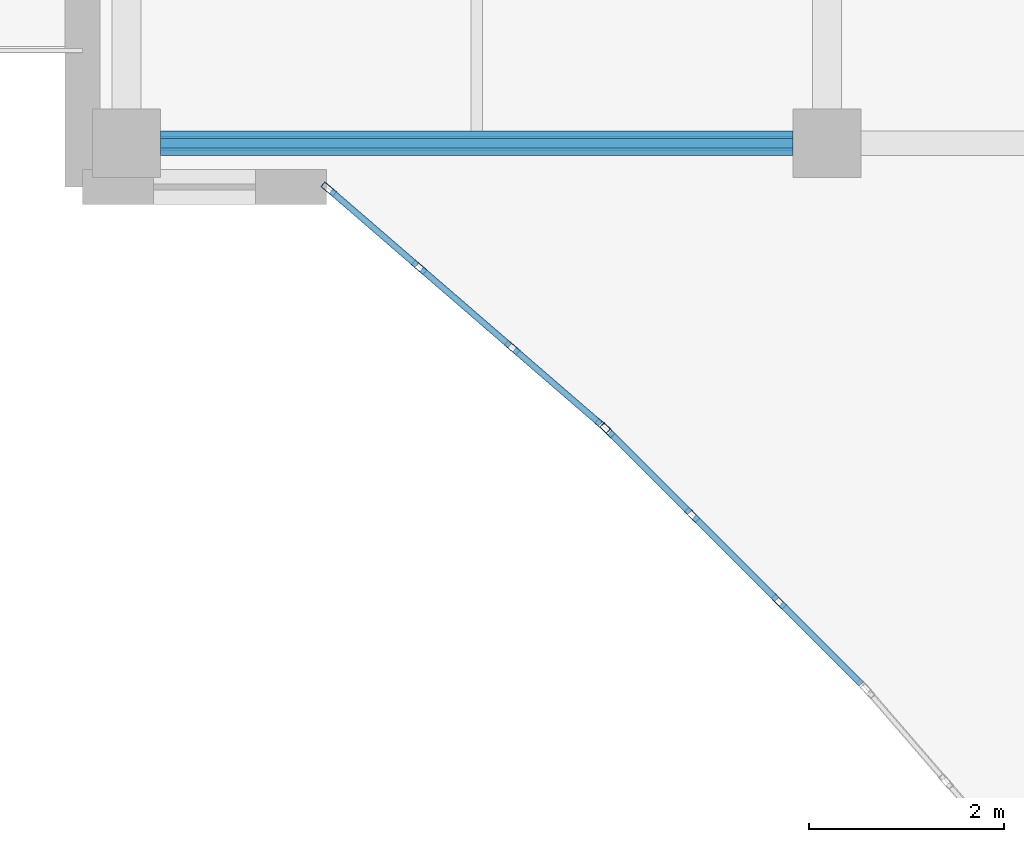
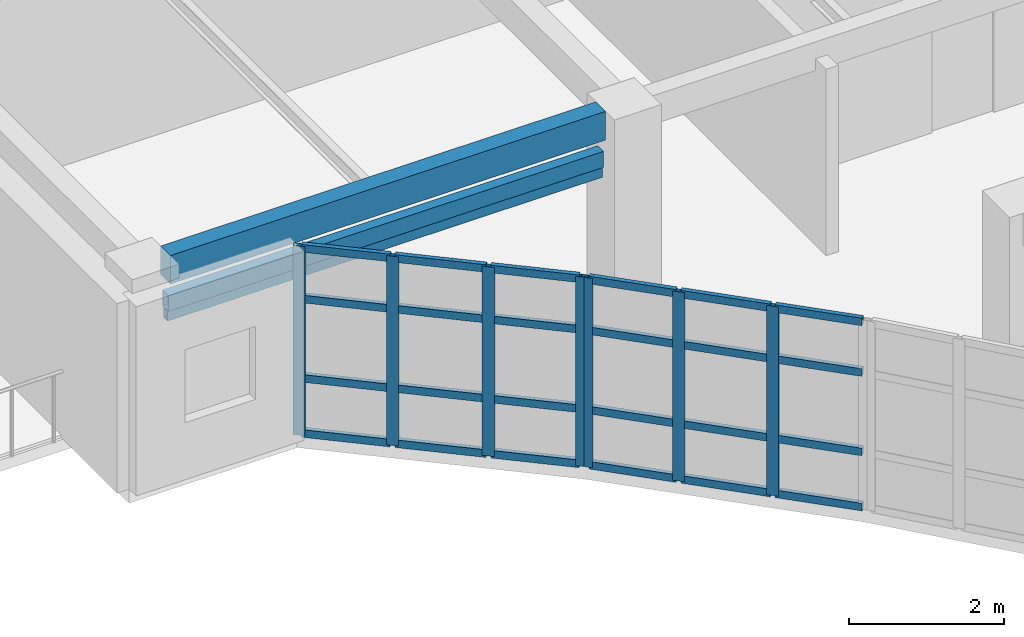
# One storey, part 51 of 128: 33 members, 1 beam, 2 elements without a shape of their own.
"""IFC4 building model written with IfcOpenShell, lengths in metres."""

from ifc_helpers import new_model, si_unit, direction, frame, origin, origin_2d, place, context, subcontext, project, spatial, rectangle, hollow_rectangle, extrude, material, layer, layer_set, material_profile, profile_set, type_object, element, aggregate, save


model = new_model("IFC4")

# Units and contexts
model_context = context("Model", 3, precision=1e-05, world=origin(), true_north=direction((0.0, 1.0)))
body_context = subcontext(model_context, "Body", "Model", "MODEL_VIEW")
ifc_project = project(units=[si_unit("LENGTHUNIT", "METRE"), si_unit("AREAUNIT", "SQUARE_METRE"), si_unit("VOLUMEUNIT", "CUBIC_METRE"), si_unit("PLANEANGLEUNIT", "RADIAN"), si_unit("MASSUNIT", "GRAM", prefix="KILO")], contexts=[model_context])

# Site, building, storey
site_placement = place(None, origin())
site = spatial("IfcSite", under=ifc_project, at=site_placement, CompositionType="ELEMENT")
building_placement = place(site_placement, origin())
building = spatial("IfcBuilding", under=site, at=building_placement, Name="Keldmere Railside Commons", CompositionType="ELEMENT")
storey_placement = place(building_placement, frame((0.0, 0.0, 4.159912109375)))
storey = spatial("IfcBuildingStorey", under=building, at=storey_placement, Name="L01", CompositionType="ELEMENT", Elevation=4.159912109375)

# Member
ifc_material_1 = material(Name="Steel F-36 (S355)", Category="steel")
ifc_material_profile_1 = material_profile(ifc_material_1, hollow_rectangle(XDim=0.14990234375, YDim=0.25, WallThickness=0.010009765625, at=origin_2d()), Name="RHS-250x150x10")
ifc_profile_set_1 = profile_set([ifc_material_profile_1], Name="Steel F-36 (S355)")
member_type_1 = type_object("IfcMemberType", Name="Balcony Continuous Planted Trough RHS250x150", PredefinedType="CHORD", material=ifc_profile_set_1)
member_1_placement = place(storey_placement, frame((94.300048828125, 100.449951171875, 2.4150390625), z_axis=(1.0, 0.0, 0.0), x_axis=(0.0, 1.0, 0.0)))
element("IfcMember", 1, at=member_1_placement, inside=storey, type_object=member_type_1, Name="PLT-1 MEM-BPLT-0165", PredefinedType="CHORD", context=body_context, shape_type="SweptSolid", body=[
    extrude(hollow_rectangle(XDim=0.14990234375, YDim=0.25, WallThickness=0.010009765625, at=origin_2d()), origin(), (0.0, 0.0, 1.0), 6.48291015625),
])

# Beam
ifc_material_2 = material(Name="Architectural Precast Concrete H-35 (C35/45)", Category="concrete")
ifc_material_profile_2 = material_profile(ifc_material_2, rectangle(XDim=0.25, YDim=0.449951171875, at=origin_2d()), Name="RC-250x450")
ifc_profile_set_2 = profile_set([ifc_material_profile_2], Name="Architectural Precast Concrete H-35 (C35/45)")
beam_type = type_object("IfcBeamType", Name="Perimeter Precast Spandrel Beam 250x450", PredefinedType="SPANDREL", material=ifc_profile_set_2)
beam_placement = place(storey_placement, frame((94.300048828125, 100.449951171875, 2.97509765625), z_axis=(1.0, 0.0, 0.0), x_axis=(0.0, 1.0, 0.0)))
element("IfcBeam", 2, at=beam_placement, inside=storey, type_object=beam_type, Name="SPB-1 BM-L01-0823", PredefinedType="SPANDREL", context=body_context, shape_type="SweptSolid", body=[
    extrude(rectangle(XDim=0.25, YDim=0.449951171875, at=origin_2d()), origin(), (0.0, 0.0, 1.0), 6.48291015625),
])

# Member
ifc_material_profile_3 = material_profile(ifc_material_1, hollow_rectangle(XDim=0.10009765625, YDim=0.159912109375, WallThickness=0.008056640625, at=origin_2d()), Name="RHS-160x100x8")
ifc_profile_set_3 = profile_set([ifc_material_profile_3], Name="Steel F-36 (S355)")
member_type_2 = type_object("IfcMemberType", Name="Solar Brise-Soleil Louvre Fin RHS160x100", PredefinedType="STRUT", material=ifc_profile_set_3)
member_2_placement = place(storey_placement, frame((94.300048828125, 100.449951171875, 2.2001953125), z_axis=(1.0, 0.0, 0.0), x_axis=(0.0, 1.0, 0.0)))
element("IfcMember", 3, at=member_2_placement, inside=storey, type_object=member_type_2, Name="BSF-1 MEM-BSF-0166", PredefinedType="STRUT", context=body_context, shape_type="SweptSolid", body=[
    extrude(hollow_rectangle(XDim=0.10009765625, YDim=0.159912109375, WallThickness=0.008056640625, at=origin_2d()), origin(), (0.0, 0.0, 1.0), 6.48291015625),
])

# Curtain wall, members
ifc_material_3 = material(Name="Thermally Broken Aluminium", Category="aluminium")
ifc_layer_1 = layer(ifc_material_3, 0.159912109375, Name="Court Chord Wintergarden CW 4800x2850")
ifc_layer_set_1 = layer_set([ifc_layer_1], Name="Thermally Broken Aluminium")
curtain_wall_type_1 = type_object("IfcCurtainWallType", Name="Court Chord Wintergarden CW 4800x2850", PredefinedType="NOTDEFINED", material=ifc_layer_set_1)
curtain_wall_1_placement = place(storey_placement, origin())
curtain_wall_1 = element("IfcCurtainWall", 4, at=curtain_wall_1_placement, inside=storey, type_object=curtain_wall_type_1, Name="CW-12 CW-L01-094", PredefinedType="NOTDEFINED")
ifc_material_profile_4 = material_profile(ifc_material_3, hollow_rectangle(XDim=0.06494140625, YDim=0.159912109375, WallThickness=0.00390625, at=origin_2d()), Name="ALU-MULL-65x160")
ifc_profile_set_4 = profile_set([ifc_material_profile_4], Name="Thermally Broken Aluminium")
member_type_3 = type_object("IfcMemberType", Name="Unitised Curtain Wall Mullion 65x160", PredefinedType="MULLION", material=ifc_profile_set_4)
member_3_placement = place(storey_placement, frame((98.83349609375, 97.55126953125, 0.0), z_axis=(0.0, 0.0, 1.0), x_axis=(-0.653881741053, -0.756596767584, 0.0)))
member_3 = element("IfcMember", 5, at=member_3_placement, type_object=member_type_3, Name="CW-12 mullion 1", PredefinedType="MULLION", context=body_context, shape_type="SweptSolid", body=[
    extrude(hollow_rectangle(XDim=0.06494140625, YDim=0.159912109375, WallThickness=0.00390625, at=origin_2d()), origin(), (0.0, 0.0, 1.0), 2.97998046875),
])
member_4_placement = place(storey_placement, frame((97.9052734375, 98.353271484375, 0.0), z_axis=(0.0, 0.0, 1.0), x_axis=(-0.653881741053, -0.756596767584, 0.0)))
member_4 = element("IfcMember", 6, at=member_4_placement, type_object=member_type_3, Name="CW-12 mullion 2", PredefinedType="MULLION", context=body_context, shape_type="SweptSolid", body=[
    extrude(hollow_rectangle(XDim=0.06494140625, YDim=0.159912109375, WallThickness=0.00390625, at=origin_2d()), origin(), (0.0, 0.0, 1.0), 2.97998046875),
])
member_5_placement = place(storey_placement, frame((96.95263671875, 99.1767578125, 0.0), z_axis=(0.0, 0.0, 1.0), x_axis=(-0.653881741053, -0.756596767584, 0.0)))
member_5 = element("IfcMember", 7, at=member_5_placement, type_object=member_type_3, Name="CW-12 mullion 3", PredefinedType="MULLION", context=body_context, shape_type="SweptSolid", body=[
    extrude(hollow_rectangle(XDim=0.06494140625, YDim=0.159912109375, WallThickness=0.00390625, at=origin_2d()), origin(), (0.0, 0.0, 1.0), 2.97998046875),
])
member_6_placement = place(storey_placement, frame((96.024658203125, 99.978759765625, 0.0), z_axis=(0.0, 0.0, 1.0), x_axis=(-0.653881741053, -0.756596767584, 0.0)))
member_6 = element("IfcMember", 8, at=member_6_placement, type_object=member_type_3, Name="CW-12 mullion 4", PredefinedType="MULLION", context=body_context, shape_type="SweptSolid", body=[
    extrude(hollow_rectangle(XDim=0.06494140625, YDim=0.159912109375, WallThickness=0.00390625, at=origin_2d()), origin(), (0.0, 0.0, 1.0), 2.97998046875),
])

ifc_layer_2 = layer(ifc_material_3, 0.159912109375, Name="Court Chord Wintergarden CW 5400x2850")
ifc_layer_set_2 = layer_set([ifc_layer_2], Name="Thermally Broken Aluminium")
curtain_wall_type_2 = type_object("IfcCurtainWallType", Name="Court Chord Wintergarden CW 5400x2850", PredefinedType="NOTDEFINED", material=ifc_layer_set_2)
curtain_wall_2_placement = place(storey_placement, origin())
curtain_wall_2 = element("IfcCurtainWall", 9, at=curtain_wall_2_placement, inside=storey, type_object=curtain_wall_type_2, Name="CW-13 CW-L01-095", PredefinedType="NOTDEFINED")
member_7_placement = place(storey_placement, frame((100.639404296875, 95.748779296875, 0.0), z_axis=(0.0, 0.0, 1.0), x_axis=(-0.707106781187, -0.707106781187, 0.0)))
member_7 = element("IfcMember", 10, at=member_7_placement, type_object=member_type_3, Name="CW-13 mullion 2", PredefinedType="MULLION", context=body_context, shape_type="SweptSolid", body=[
    extrude(hollow_rectangle(XDim=0.06494140625, YDim=0.159912109375, WallThickness=0.00390625, at=origin_2d()), origin(), (0.0, 0.0, 1.0), 2.97998046875),
])
member_8_placement = place(storey_placement, frame((99.748779296875, 96.639404296875, 0.0), z_axis=(0.0, 0.0, 1.0), x_axis=(-0.707106781187, -0.707106781187, 0.0)))
member_8 = element("IfcMember", 11, at=member_8_placement, type_object=member_type_3, Name="CW-13 mullion 3", PredefinedType="MULLION", context=body_context, shape_type="SweptSolid", body=[
    extrude(hollow_rectangle(XDim=0.06494140625, YDim=0.159912109375, WallThickness=0.00390625, at=origin_2d()), origin(), (0.0, 0.0, 1.0), 2.97998046875),
])
member_9_placement = place(storey_placement, frame((98.880859375, 97.507080078125, 0.0), z_axis=(0.0, 0.0, 1.0), x_axis=(-0.707106781187, -0.707106781187, 0.0)))
member_9 = element("IfcMember", 12, at=member_9_placement, type_object=member_type_3, Name="CW-13 mullion 4", PredefinedType="MULLION", context=body_context, shape_type="SweptSolid", body=[
    extrude(hollow_rectangle(XDim=0.06494140625, YDim=0.159912109375, WallThickness=0.00390625, at=origin_2d()), origin(), (0.0, 0.0, 1.0), 2.97998046875),
])

# Member
ifc_material_profile_5 = material_profile(ifc_material_3, hollow_rectangle(XDim=0.06494140625, YDim=0.1201171875, WallThickness=0.00390625, at=origin_2d()), Name="ALU-TRAN-65x120")
ifc_profile_set_5 = profile_set([ifc_material_profile_5], Name="Thermally Broken Aluminium")
member_type_4 = type_object("IfcMemberType", Name="Unitised Curtain Wall Transom 65x120", PredefinedType="USERDEFINED", material=ifc_profile_set_5)
member_10_placement = place(storey_placement, frame((98.808837890625, 97.572509765625, 0.032470703125), z_axis=(-0.756624489527, 0.653849663033, 0.0), x_axis=(-0.653849663033, -0.756624489527, 0.0)))
member_10 = element("IfcMember", 13, at=member_10_placement, type_object=member_type_4, Name="CW-12 transom 1.1", ObjectType="TRANSOM", PredefinedType="USERDEFINED", context=body_context, shape_type="SweptSolid", body=[
    extrude(hollow_rectangle(XDim=0.06494140625, YDim=0.1201171875, WallThickness=0.00390625, at=origin_2d()), origin(), (0.0, 0.0, 1.0), 1.16162109375),
])

member_11_placement = place(storey_placement, frame((98.808837890625, 97.572509765625, 0.900146484375), z_axis=(-0.756624489527, 0.653849663033, 0.0), x_axis=(-0.653849663033, -0.756624489527, 0.0)))
member_11 = element("IfcMember", 14, at=member_11_placement, type_object=member_type_4, Name="CW-12 transom 1.2", ObjectType="TRANSOM", PredefinedType="USERDEFINED", context=body_context, shape_type="SweptSolid", body=[
    extrude(hollow_rectangle(XDim=0.06494140625, YDim=0.1201171875, WallThickness=0.00390625, at=origin_2d()), origin(), (0.0, 0.0, 1.0), 1.16162109375),
])

member_12_placement = place(storey_placement, frame((98.808837890625, 97.572509765625, 2.150146484375), z_axis=(-0.756624489527, 0.653849663033, 0.0), x_axis=(-0.653849663033, -0.756624489527, 0.0)))
member_12 = element("IfcMember", 15, at=member_12_placement, type_object=member_type_4, Name="CW-12 transom 1.3", ObjectType="TRANSOM", PredefinedType="USERDEFINED", context=body_context, shape_type="SweptSolid", body=[
    extrude(hollow_rectangle(XDim=0.06494140625, YDim=0.1201171875, WallThickness=0.00390625, at=origin_2d()), origin(), (0.0, 0.0, 1.0), 1.16162109375),
])

member_13_placement = place(storey_placement, frame((98.808837890625, 97.572509765625, 2.947509765625), z_axis=(-0.756624489527, 0.653849663033, 0.0), x_axis=(-0.653849663033, -0.756624489527, 0.0)))
member_13 = element("IfcMember", 16, at=member_13_placement, type_object=member_type_4, Name="CW-12 transom 1.4", ObjectType="TRANSOM", PredefinedType="USERDEFINED", context=body_context, shape_type="SweptSolid", body=[
    extrude(hollow_rectangle(XDim=0.06494140625, YDim=0.1201171875, WallThickness=0.00390625, at=origin_2d()), origin(), (0.0, 0.0, 1.0), 1.16162109375),
])

member_14_placement = place(storey_placement, frame((97.880859375, 98.37451171875, 0.032470703125), z_axis=(-0.756551755881, 0.653933819796, 0.0), x_axis=(-0.653933819796, -0.756551755881, 0.0)))
member_14 = element("IfcMember", 17, at=member_14_placement, type_object=member_type_4, Name="CW-12 transom 2.1", ObjectType="TRANSOM", PredefinedType="USERDEFINED", context=body_context, shape_type="SweptSolid", body=[
    extrude(hollow_rectangle(XDim=0.06494140625, YDim=0.1201171875, WallThickness=0.00390625, at=origin_2d()), origin(), (0.0, 0.0, 1.0), 1.1943359375),
])

member_15_placement = place(storey_placement, frame((97.880859375, 98.37451171875, 0.900146484375), z_axis=(-0.756551755881, 0.653933819796, 0.0), x_axis=(-0.653933819796, -0.756551755881, 0.0)))
member_15 = element("IfcMember", 18, at=member_15_placement, type_object=member_type_4, Name="CW-12 transom 2.2", ObjectType="TRANSOM", PredefinedType="USERDEFINED", context=body_context, shape_type="SweptSolid", body=[
    extrude(hollow_rectangle(XDim=0.06494140625, YDim=0.1201171875, WallThickness=0.00390625, at=origin_2d()), origin(), (0.0, 0.0, 1.0), 1.1943359375),
])

member_16_placement = place(storey_placement, frame((97.880859375, 98.37451171875, 2.150146484375), z_axis=(-0.756551755881, 0.653933819796, 0.0), x_axis=(-0.653933819796, -0.756551755881, 0.0)))
member_16 = element("IfcMember", 19, at=member_16_placement, type_object=member_type_4, Name="CW-12 transom 2.3", ObjectType="TRANSOM", PredefinedType="USERDEFINED", context=body_context, shape_type="SweptSolid", body=[
    extrude(hollow_rectangle(XDim=0.06494140625, YDim=0.1201171875, WallThickness=0.00390625, at=origin_2d()), origin(), (0.0, 0.0, 1.0), 1.1943359375),
])

member_17_placement = place(storey_placement, frame((97.880859375, 98.37451171875, 2.947509765625), z_axis=(-0.756551755881, 0.653933819796, 0.0), x_axis=(-0.653933819796, -0.756551755881, 0.0)))
member_17 = element("IfcMember", 20, at=member_17_placement, type_object=member_type_4, Name="CW-12 transom 2.4", ObjectType="TRANSOM", PredefinedType="USERDEFINED", context=body_context, shape_type="SweptSolid", body=[
    extrude(hollow_rectangle(XDim=0.06494140625, YDim=0.1201171875, WallThickness=0.00390625, at=origin_2d()), origin(), (0.0, 0.0, 1.0), 1.1943359375),
])

member_18_placement = place(storey_placement, frame((96.927978515625, 99.197998046875, 0.032470703125), z_axis=(-0.756624489527, 0.653849663033, 0.0), x_axis=(-0.653849663033, -0.756624489527, 0.0)))
member_18 = element("IfcMember", 21, at=member_18_placement, type_object=member_type_4, Name="CW-12 transom 3.1", ObjectType="TRANSOM", PredefinedType="USERDEFINED", context=body_context, shape_type="SweptSolid", body=[
    extrude(hollow_rectangle(XDim=0.06494140625, YDim=0.1201171875, WallThickness=0.00390625, at=origin_2d()), origin(), (0.0, 0.0, 1.0), 1.16162109375),
])

member_19_placement = place(storey_placement, frame((96.927978515625, 99.197998046875, 0.900146484375), z_axis=(-0.756624489527, 0.653849663033, 0.0), x_axis=(-0.653849663033, -0.756624489527, 0.0)))
member_19 = element("IfcMember", 22, at=member_19_placement, type_object=member_type_4, Name="CW-12 transom 3.2", ObjectType="TRANSOM", PredefinedType="USERDEFINED", context=body_context, shape_type="SweptSolid", body=[
    extrude(hollow_rectangle(XDim=0.06494140625, YDim=0.1201171875, WallThickness=0.00390625, at=origin_2d()), origin(), (0.0, 0.0, 1.0), 1.16162109375),
])

member_20_placement = place(storey_placement, frame((96.927978515625, 99.197998046875, 2.150146484375), z_axis=(-0.756624489527, 0.653849663033, 0.0), x_axis=(-0.653849663033, -0.756624489527, 0.0)))
member_20 = element("IfcMember", 23, at=member_20_placement, type_object=member_type_4, Name="CW-12 transom 3.3", ObjectType="TRANSOM", PredefinedType="USERDEFINED", context=body_context, shape_type="SweptSolid", body=[
    extrude(hollow_rectangle(XDim=0.06494140625, YDim=0.1201171875, WallThickness=0.00390625, at=origin_2d()), origin(), (0.0, 0.0, 1.0), 1.16162109375),
])

member_21_placement = place(storey_placement, frame((96.927978515625, 99.197998046875, 2.947509765625), z_axis=(-0.756624489527, 0.653849663033, 0.0), x_axis=(-0.653849663033, -0.756624489527, 0.0)))
member_21 = element("IfcMember", 24, at=member_21_placement, type_object=member_type_4, Name="CW-12 transom 3.4", ObjectType="TRANSOM", PredefinedType="USERDEFINED", context=body_context, shape_type="SweptSolid", body=[
    extrude(hollow_rectangle(XDim=0.06494140625, YDim=0.1201171875, WallThickness=0.00390625, at=origin_2d()), origin(), (0.0, 0.0, 1.0), 1.16162109375),
])

aggregate(curtain_wall_1, [member_3, member_4, member_5, member_6, member_10, member_11, member_12, member_13, member_14, member_15, member_16, member_17, member_18, member_19, member_20, member_21])

member_22_placement = place(storey_placement, frame((101.484130859375, 94.904052734375, 0.032470703125), z_axis=(-0.707211825645, 0.707001721121, 0.0), x_axis=(-0.707001721121, -0.707211825645, 0.0)))
member_22 = element("IfcMember", 25, at=member_22_placement, type_object=member_type_4, Name="CW-13 transom 1.1", ObjectType="TRANSOM", PredefinedType="USERDEFINED", context=body_context, shape_type="SweptSolid", body=[
    extrude(hollow_rectangle(XDim=0.06494140625, YDim=0.1201171875, WallThickness=0.00390625, at=origin_2d()), origin(), (0.0, 0.0, 1.0), 1.162109375),
])

member_23_placement = place(storey_placement, frame((101.484130859375, 94.904052734375, 0.900146484375), z_axis=(-0.707211825645, 0.707001721121, 0.0), x_axis=(-0.707001721121, -0.707211825645, 0.0)))
member_23 = element("IfcMember", 26, at=member_23_placement, type_object=member_type_4, Name="CW-13 transom 1.2", ObjectType="TRANSOM", PredefinedType="USERDEFINED", context=body_context, shape_type="SweptSolid", body=[
    extrude(hollow_rectangle(XDim=0.06494140625, YDim=0.1201171875, WallThickness=0.00390625, at=origin_2d()), origin(), (0.0, 0.0, 1.0), 1.162109375),
])

member_24_placement = place(storey_placement, frame((101.484130859375, 94.904052734375, 2.150146484375), z_axis=(-0.707211825645, 0.707001721121, 0.0), x_axis=(-0.707001721121, -0.707211825645, 0.0)))
member_24 = element("IfcMember", 27, at=member_24_placement, type_object=member_type_4, Name="CW-13 transom 1.3", ObjectType="TRANSOM", PredefinedType="USERDEFINED", context=body_context, shape_type="SweptSolid", body=[
    extrude(hollow_rectangle(XDim=0.06494140625, YDim=0.1201171875, WallThickness=0.00390625, at=origin_2d()), origin(), (0.0, 0.0, 1.0), 1.162109375),
])

member_25_placement = place(storey_placement, frame((101.484130859375, 94.904052734375, 2.947509765625), z_axis=(-0.707211825645, 0.707001721121, 0.0), x_axis=(-0.707001721121, -0.707211825645, 0.0)))
member_25 = element("IfcMember", 28, at=member_25_placement, type_object=member_type_4, Name="CW-13 transom 1.4", ObjectType="TRANSOM", PredefinedType="USERDEFINED", context=body_context, shape_type="SweptSolid", body=[
    extrude(hollow_rectangle(XDim=0.06494140625, YDim=0.1201171875, WallThickness=0.00390625, at=origin_2d()), origin(), (0.0, 0.0, 1.0), 1.162109375),
])

member_26_placement = place(storey_placement, frame((100.616455078125, 95.771728515625, 0.032470703125), z_axis=(-0.707106781187, 0.707106781187, 0.0), x_axis=(-0.707106781187, -0.707106781187, 0.0)))
member_26 = element("IfcMember", 29, at=member_26_placement, type_object=member_type_4, Name="CW-13 transom 2.1", ObjectType="TRANSOM", PredefinedType="USERDEFINED", context=body_context, shape_type="SweptSolid", body=[
    extrude(hollow_rectangle(XDim=0.06494140625, YDim=0.1201171875, WallThickness=0.00390625, at=origin_2d()), origin(), (0.0, 0.0, 1.0), 1.194580078125),
])

member_27_placement = place(storey_placement, frame((100.616455078125, 95.771728515625, 0.900146484375), z_axis=(-0.707106781187, 0.707106781187, 0.0), x_axis=(-0.707106781187, -0.707106781187, 0.0)))
member_27 = element("IfcMember", 30, at=member_27_placement, type_object=member_type_4, Name="CW-13 transom 2.2", ObjectType="TRANSOM", PredefinedType="USERDEFINED", context=body_context, shape_type="SweptSolid", body=[
    extrude(hollow_rectangle(XDim=0.06494140625, YDim=0.1201171875, WallThickness=0.00390625, at=origin_2d()), origin(), (0.0, 0.0, 1.0), 1.194580078125),
])

member_28_placement = place(storey_placement, frame((100.616455078125, 95.771728515625, 2.150146484375), z_axis=(-0.707106781187, 0.707106781187, 0.0), x_axis=(-0.707106781187, -0.707106781187, 0.0)))
member_28 = element("IfcMember", 31, at=member_28_placement, type_object=member_type_4, Name="CW-13 transom 2.3", ObjectType="TRANSOM", PredefinedType="USERDEFINED", context=body_context, shape_type="SweptSolid", body=[
    extrude(hollow_rectangle(XDim=0.06494140625, YDim=0.1201171875, WallThickness=0.00390625, at=origin_2d()), origin(), (0.0, 0.0, 1.0), 1.194580078125),
])

member_29_placement = place(storey_placement, frame((100.616455078125, 95.771728515625, 2.947509765625), z_axis=(-0.707106781187, 0.707106781187, 0.0), x_axis=(-0.707106781187, -0.707106781187, 0.0)))
member_29 = element("IfcMember", 32, at=member_29_placement, type_object=member_type_4, Name="CW-13 transom 2.4", ObjectType="TRANSOM", PredefinedType="USERDEFINED", context=body_context, shape_type="SweptSolid", body=[
    extrude(hollow_rectangle(XDim=0.06494140625, YDim=0.1201171875, WallThickness=0.00390625, at=origin_2d()), origin(), (0.0, 0.0, 1.0), 1.194580078125),
])

member_30_placement = place(storey_placement, frame((99.7255859375, 96.662353515625, 0.032470703125), z_axis=(-0.707001721121, 0.707211825645, 0.0), x_axis=(-0.707211825645, -0.707001721121, 0.0)))
member_30 = element("IfcMember", 33, at=member_30_placement, type_object=member_type_4, Name="CW-13 transom 3.1", ObjectType="TRANSOM", PredefinedType="USERDEFINED", context=body_context, shape_type="SweptSolid", body=[
    extrude(hollow_rectangle(XDim=0.06494140625, YDim=0.1201171875, WallThickness=0.00390625, at=origin_2d()), origin(), (0.0, 0.0, 1.0), 1.162109375),
])

member_31_placement = place(storey_placement, frame((99.7255859375, 96.662353515625, 0.900146484375), z_axis=(-0.707001721121, 0.707211825645, 0.0), x_axis=(-0.707211825645, -0.707001721121, 0.0)))
member_31 = element("IfcMember", 34, at=member_31_placement, type_object=member_type_4, Name="CW-13 transom 3.2", ObjectType="TRANSOM", PredefinedType="USERDEFINED", context=body_context, shape_type="SweptSolid", body=[
    extrude(hollow_rectangle(XDim=0.06494140625, YDim=0.1201171875, WallThickness=0.00390625, at=origin_2d()), origin(), (0.0, 0.0, 1.0), 1.162109375),
])

member_32_placement = place(storey_placement, frame((99.7255859375, 96.662353515625, 2.150146484375), z_axis=(-0.707001721121, 0.707211825645, 0.0), x_axis=(-0.707211825645, -0.707001721121, 0.0)))
member_32 = element("IfcMember", 35, at=member_32_placement, type_object=member_type_4, Name="CW-13 transom 3.3", ObjectType="TRANSOM", PredefinedType="USERDEFINED", context=body_context, shape_type="SweptSolid", body=[
    extrude(hollow_rectangle(XDim=0.06494140625, YDim=0.1201171875, WallThickness=0.00390625, at=origin_2d()), origin(), (0.0, 0.0, 1.0), 1.162109375),
])

member_33_placement = place(storey_placement, frame((99.7255859375, 96.662353515625, 2.947509765625), z_axis=(-0.707001721121, 0.707211825645, 0.0), x_axis=(-0.707211825645, -0.707001721121, 0.0)))
member_33 = element("IfcMember", 36, at=member_33_placement, type_object=member_type_4, Name="CW-13 transom 3.4", ObjectType="TRANSOM", PredefinedType="USERDEFINED", context=body_context, shape_type="SweptSolid", body=[
    extrude(hollow_rectangle(XDim=0.06494140625, YDim=0.1201171875, WallThickness=0.00390625, at=origin_2d()), origin(), (0.0, 0.0, 1.0), 1.162109375),
])

aggregate(curtain_wall_2, [member_7, member_8, member_9, member_22, member_23, member_24, member_25, member_26, member_27, member_28, member_29, member_30, member_31, member_32, member_33])

save(model, "model.ifc")
